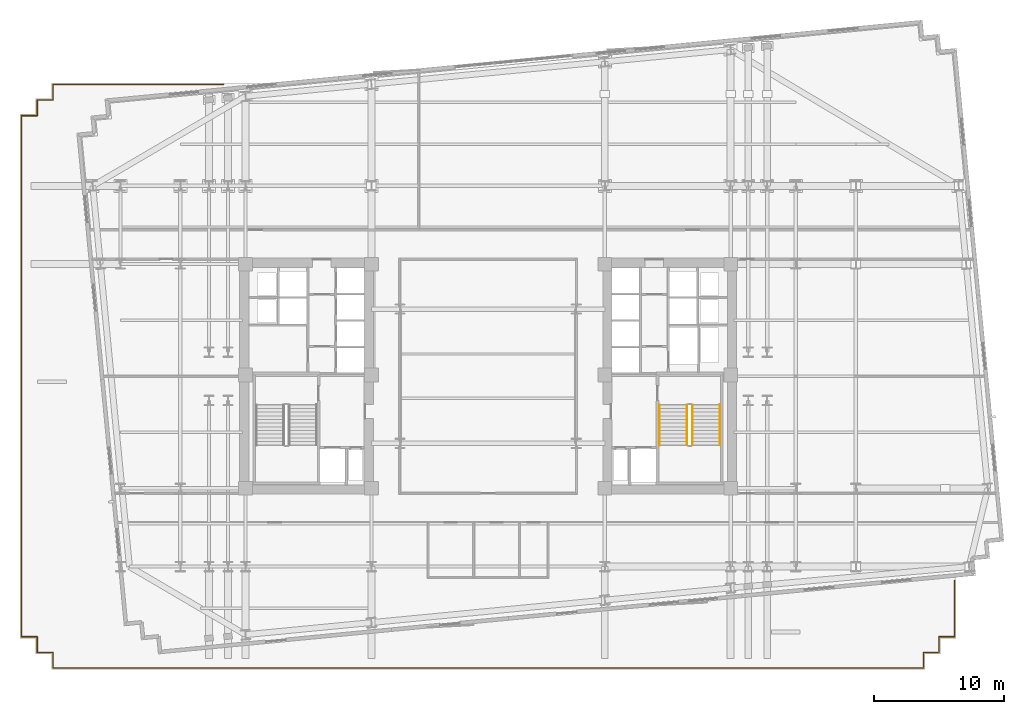
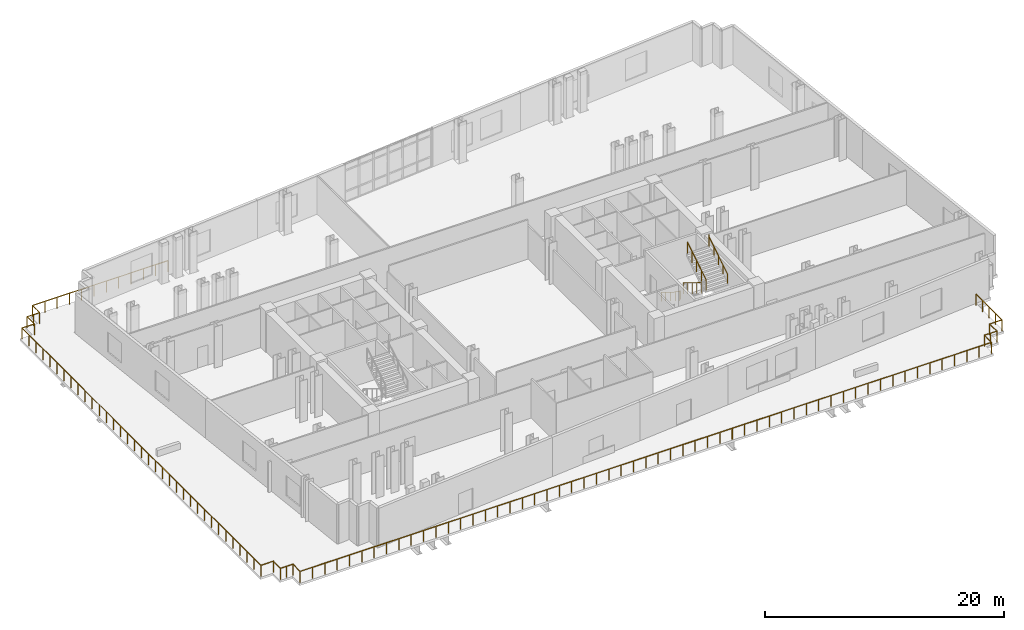
# One storey, part 12 of 14: 5 railings.
"""IFC4 building model written with IfcOpenShell, lengths in metres."""

import ifcopenshell
import ifcopenshell.guid

model = None  # the IFC model being written
_history = None  # IfcOwnerHistory: only IFC2X3 demands one
_inside = {}  # id of a spatial element -> (the spatial element, [elements in it])
_under = {}  # id of a project, library or spatial element -> (it, [spatial elements below it])
_declared = {}  # id of a project -> (the project, [libraries it declares])
_typed = {}  # id of a type object -> (the type object, [elements of that type])
_made_of = {}  # id of a material, layer set ... -> (it, [elements and type objects made of it])


def new_model(schema):
    """Start an empty IFC model of exactly this schema.

    Asked for "IFC4X3", IfcOpenShell would pick the latest addendum, in which some entities
    have other attributes; the version numbers below select the first issue.
    IFC2X3 requires an IfcOwnerHistory on every rooted entity: one is made here for all.
    """
    global model, _history
    if schema == "IFC4X3":
        model = ifcopenshell.file(schema_version=(4, 3, 0, 0))
    else:
        model = ifcopenshell.file(schema=schema)
    _inside.clear()
    _under.clear()
    _declared.clear()
    _typed.clear()
    _made_of.clear()
    _history = None
    if model.schema == "IFC2X3":
        org = make("IfcOrganization", Name="unknown")
        user = make(
            "IfcPersonAndOrganization",
            ThePerson=make("IfcPerson", FamilyName="unknown"),
            TheOrganization=org,
        )
        app = make(
            "IfcApplication",
            ApplicationDeveloper=org,
            Version="unknown",
            ApplicationFullName="unknown",
            ApplicationIdentifier="unknown",
        )
        _history = make(
            "IfcOwnerHistory",
            OwningUser=user,
            OwningApplication=app,
            ChangeAction="ADDED",
            CreationDate=0,
        )
    return model


def make(cls, **values):
    """One entity of the class cls with the attributes given. An attribute that is None is left unset."""
    return model.create_entity(
        cls, **{name: value for name, value in values.items() if value is not None}
    )


def rooted(cls, **values):
    """An entity with a GlobalId (a new one), such as an element, a storey or a relation."""
    return make(cls, GlobalId=ifcopenshell.guid.new(), OwnerHistory=_history, **values)


def si_unit(unit_type, name, prefix=None):
    """IfcSIUnit, for example si_unit("LENGTHUNIT", "METRE", prefix="MILLI")."""
    return make("IfcSIUnit", UnitType=unit_type, Prefix=prefix, Name=name)


def assignment(units):
    """IfcUnitAssignment: the units of a project."""
    return None if units is None else make("IfcUnitAssignment", Units=units)


def point(xyz):
    """IfcCartesianPoint."""
    return None if xyz is None else make("IfcCartesianPoint", Coordinates=xyz)


def direction(xyz):
    """IfcDirection."""
    return None if xyz is None else make("IfcDirection", DirectionRatios=xyz)


def frame(location, z_axis=None, x_axis=None):
    """IfcAxis2Placement3D, a coordinate frame: its origin and axes. An axis left out is left unset."""
    return make(
        "IfcAxis2Placement3D",
        Location=point(location),
        Axis=direction(z_axis),
        RefDirection=direction(x_axis),
    )


def frame_2d(location, x_axis=None):
    """IfcAxis2Placement2D, a coordinate frame in the plane: its origin and x axis."""
    return make(
        "IfcAxis2Placement2D", Location=point(location), RefDirection=direction(x_axis)
    )


def origin():
    """The frame at (0, 0, 0) with its axes left unset."""
    return frame((0.0, 0.0, 0.0))


def origin_2d():
    """The frame at (0, 0) in the plane with its x axis left unset."""
    return frame_2d((0.0, 0.0))


def place(relative_to, where):
    """IfcLocalPlacement: puts the frame where relative to a parent placement (None: the world)."""
    return make(
        "IfcLocalPlacement", PlacementRelTo=relative_to, RelativePlacement=where
    )


def context(
    kind, dimensions, precision=None, world=None, true_north=None, identifier=None
):
    """IfcGeometricRepresentationContext, for example the 3D "Model" context."""
    return make(
        "IfcGeometricRepresentationContext",
        ContextIdentifier=identifier,
        ContextType=kind,
        CoordinateSpaceDimension=dimensions,
        Precision=precision,
        WorldCoordinateSystem=world,
        TrueNorth=true_north,
    )


def subcontext(parent, identifier, kind, view, scale=None):
    """IfcGeometricRepresentationSubContext, for example "Body" below "Model"."""
    return make(
        "IfcGeometricRepresentationSubContext",
        ContextIdentifier=identifier,
        ContextType=kind,
        ParentContext=parent,
        TargetScale=scale,
        TargetView=view,
    )


def project(units=None, contexts=None):
    """IfcProject with its units and contexts."""
    return rooted(
        "IfcProject",
        Name="project",
        RepresentationContexts=contexts,
        UnitsInContext=assignment(units),
    )


def spatial(cls, under=None, at=None, **own):
    """A site, building, storey or space (cls), placed at a placement, below another one or the project."""
    s = rooted(cls, ObjectPlacement=at, **own)
    if under is not None:
        _under.setdefault(under.id(), (under, []))[1].append(s)
    return s


def profile(cls, at=None, kind="AREA", **sizes):
    """A parametric profile (cls). Its sizes go by their IFC names, for example OverallWidth=200.0."""
    return make(cls, ProfileType=kind, Position=at, **sizes)


def circle(**sizes):
    """IfcCircleProfileDef."""
    return profile("IfcCircleProfileDef", **sizes)


def extrude(swept, where, along, depth):
    """IfcExtrudedAreaSolid: the profile swept, set in the frame where, extruded along a direction by depth."""
    return make(
        "IfcExtrudedAreaSolid",
        SweptArea=swept,
        Position=where,
        ExtrudedDirection=direction(along),
        Depth=depth,
    )


def shape(context_of_items, identifier, shape_type, items):
    """IfcShapeRepresentation: the items that make up one representation, for example the "Body"."""
    return make(
        "IfcShapeRepresentation",
        ContextOfItems=context_of_items,
        RepresentationIdentifier=identifier,
        RepresentationType=shape_type,
        Items=items,
    )


def material(Name=None, Category=None):
    """IfcMaterial."""
    return make("IfcMaterial", Name=Name, Category=Category)


def made_of(thing, what):
    """Note that an element or type object is made of a material, layer set ...; save() writes the relation."""
    if what is not None:
        _made_of.setdefault(what.id(), (what, []))[1].append(thing)
    return thing


def type_object(cls, material=None, **own):
    """A type object (cls), such as IfcWallType, which elements share."""
    return made_of(rooted(cls, **own), material)


def element(
    cls,
    number,
    at=None,
    inside=None,
    cuts=None,
    type_object=None,
    material=None,
    context=None,
    identifier="Body",
    shape_type=None,
    held_by="IfcProductDefinitionShape",
    body=None,
    shapes=None,
    **own,
):
    """One element of the class cls, such as IfcWall. Its Tag is "e" and its number.

    at: its placement. inside: the storey or other place that contains it. cuts: it is an
    opening in that element (IfcRelVoidsElement). A single representation is given by context,
    identifier, shape_type and body (its items); several are given by shapes. held_by: the class
    of the entity that holds the representations. save() writes the other relations.
    """
    e = rooted(cls, Tag="e%d" % number, ObjectPlacement=at, **own)
    if body is not None:
        shapes = [shape(context, identifier, shape_type, body)]
    if shapes is not None:
        e.Representation = make(held_by, Representations=shapes)
    if inside is not None:
        _inside.setdefault(inside.id(), (inside, []))[1].append(e)
    if cuts is not None:
        rooted(
            "IfcRelVoidsElement", RelatingBuildingElement=cuts, RelatedOpeningElement=e
        )
    if type_object is not None:
        _typed.setdefault(type_object.id(), (type_object, []))[1].append(e)
    return made_of(e, material)


def aggregate(whole, parts):
    """IfcRelAggregates: a whole, such as a stair, and the parts it consists of."""
    return rooted("IfcRelAggregates", RelatingObject=whole, RelatedObjects=parts)


def save(model, path):
    """Write the relations noted so far, then the file.

    IfcRelAggregates (storeys below a building ...), IfcRelContainedInSpatialStructure (elements
    in a storey), IfcRelDefinesByType, IfcRelAssociatesMaterial and IfcRelDeclares: one each for
    every whole, place, type object, material and project.
    """
    for whole, parts in _under.values():
        aggregate(whole, parts)
    for where, things in _inside.values():
        rooted(
            "IfcRelContainedInSpatialStructure",
            RelatedElements=things,
            RelatingStructure=where,
        )
    for kind, things in _typed.values():
        rooted("IfcRelDefinesByType", RelatedObjects=things, RelatingType=kind)
    for what, things in _made_of.values():
        rooted("IfcRelAssociatesMaterial", RelatedObjects=things, RelatingMaterial=what)
    for by, libraries in _declared.values():
        rooted("IfcRelDeclares", RelatingContext=by, RelatedDefinitions=libraries)
    model.write(path)


model = new_model("IFC4")

# Units and contexts
model_context = context("Model", 3, precision=1e-05, world=origin(), true_north=direction((0.0, 1.0)))
body_context = subcontext(model_context, "Body", "Model", "MODEL_VIEW")
ifc_project = project(units=[si_unit("LENGTHUNIT", "METRE"), si_unit("AREAUNIT", "SQUARE_METRE"), si_unit("VOLUMEUNIT", "CUBIC_METRE"), si_unit("PLANEANGLEUNIT", "RADIAN"), si_unit("MASSUNIT", "GRAM", prefix="KILO")], contexts=[model_context])

# Site, building, storey
site_placement = place(None, origin())
site = spatial("IfcSite", under=ifc_project, at=site_placement, CompositionType="ELEMENT")
building_placement = place(site_placement, origin())
building = spatial("IfcBuilding", under=site, at=building_placement, Name="Velakula Bourse", CompositionType="ELEMENT")
storey_placement = place(building_placement, frame((0.0, 0.0, 70.0)))
storey = spatial("IfcBuildingStorey", under=building, at=storey_placement, Name="L18", CompositionType="ELEMENT", Elevation=70.0)

# Railings
ifc_material_1 = material(Name="Brushed grade 316 stainless steel", Category="steel")
railing_type_1 = type_object("IfcRailingType", Name="RLG-STAIR-GUARD-1150", PredefinedType="BALUSTRADE", material=ifc_material_1)
railing_1_placement = place(storey_placement, frame((15.248046875, -2.199951171875, 0.175048828125)))
element("IfcRailing", 1, at=railing_1_placement, inside=storey, type_object=railing_type_1, Name="L18 ST-E1 stair guard 1", PredefinedType="BALUSTRADE", context=body_context, shape_type="SweptSolid", body=[
    extrude(circle(Radius=0.02490234375, at=origin_2d()), frame((0.0, 0.0, 1.125), z_axis=(0.0, -0.847998304005, 0.529998940003), x_axis=(1.0, 0.0, 0.0)), (0.0, 0.0, 1.0), 3.632080078125),
    extrude(circle(Radius=0.02099609375, at=origin_2d()), origin(), (0.0, 0.0, 1.0), 1.099853515625),
    extrude(circle(Radius=0.02099609375, at=origin_2d()), frame((0.0, -0.77001953125, 0.481201171875)), (0.0, 0.0, 1.0), 1.099853515625),
    extrude(circle(Radius=0.02099609375, at=origin_2d()), frame((0.0, -1.5400390625, 0.96240234375)), (0.0, 0.0, 1.0), 1.099853515625),
    extrude(circle(Radius=0.02099609375, at=origin_2d()), frame((0.0, -2.31005859375, 1.44384765625)), (0.0, 0.0, 1.0), 1.099853515625),
    extrude(circle(Radius=0.02099609375, at=origin_2d()), frame((0.0, -3.080078125, 1.925048828125)), (0.0, 0.0, 1.0), 1.099853515625),
])
railing_2_placement = place(storey_placement, frame((15.672119140625, -5.280029296875, 2.27490234375)))
element("IfcRailing", 2, at=railing_2_placement, inside=storey, type_object=railing_type_1, Name="L18 ST-E1 stair guard 3", PredefinedType="BALUSTRADE", context=body_context, shape_type="SweptSolid", body=[
    extrude(circle(Radius=0.02490234375, at=origin_2d()), frame((0.0, 0.0, 1.125), z_axis=(0.0, 0.847998304005, 0.529998940003), x_axis=(-1.0, 0.0, 0.0)), (0.0, 0.0, 1.0), 3.632080078125),
    extrude(circle(Radius=0.02099609375, at=origin_2d()), origin(), (0.0, 0.0, 1.0), 1.099853515625),
    extrude(circle(Radius=0.02099609375, at=origin_2d()), frame((0.0, 0.77001953125, 0.481201171875)), (0.0, 0.0, 1.0), 1.099853515625),
    extrude(circle(Radius=0.02099609375, at=origin_2d()), frame((0.0, 1.5400390625, 0.96240234375)), (0.0, 0.0, 1.0), 1.099853515625),
    extrude(circle(Radius=0.02099609375, at=origin_2d()), frame((0.0, 2.31005859375, 1.44384765625)), (0.0, 0.0, 1.0), 1.099853515625),
    extrude(circle(Radius=0.02099609375, at=origin_2d()), frame((0.0, 3.080078125, 1.925048828125)), (0.0, 0.0, 1.0), 1.099853515625),
])
railing_type_2 = type_object("IfcRailingType", Name="RLG-STAIR-HAND-920", PredefinedType="HANDRAIL", material=ifc_material_1)
railing_3_placement = place(storey_placement, frame((13.14990234375, -2.199951171875, 0.175048828125)))
element("IfcRailing", 3, at=railing_3_placement, inside=storey, type_object=railing_type_2, Name="L18 ST-E1 stair handrail 1", PredefinedType="HANDRAIL", context=body_context, shape_type="SweptSolid", body=[
    extrude(circle(Radius=0.02099609375, at=origin_2d()), frame((0.0, 0.0, 0.89892578125), z_axis=(0.0, -0.847998304005, 0.529998940003), x_axis=(1.0, 0.0, 0.0)), (0.0, 0.0, 1.0), 3.632080078125),
    extrude(circle(Radius=0.02099609375, at=origin_2d()), frame((0.0, -3.080078125, 2.823974609375), z_axis=(0.0, -0.223268366363, 0.974757014123), x_axis=(1.0, 0.0, 0.0)), (0.0, 0.0, 1.0), 0.179443359375),
    extrude(circle(Radius=0.02099609375, at=origin_2d()), frame((0.0, -3.1201171875, 2.998779296875), z_axis=(0.0, -1.0, 0.0), x_axis=(1.0, 0.0, 0.0)), (0.0, 0.0, 1.0), 0.0048828125),
    extrude(circle(Radius=0.02099609375, at=origin_2d()), origin(), (0.0, 0.0, 1.0), 0.8779296875),
    extrude(circle(Radius=0.02099609375, at=origin_2d()), frame((0.0, -0.77001953125, 0.481201171875)), (0.0, 0.0, 1.0), 0.8779296875),
    extrude(circle(Radius=0.02099609375, at=origin_2d()), frame((0.0, -1.5400390625, 0.96240234375)), (0.0, 0.0, 1.0), 0.8779296875),
    extrude(circle(Radius=0.02099609375, at=origin_2d()), frame((0.0, -2.31005859375, 1.44384765625)), (0.0, 0.0, 1.0), 0.8779296875),
    extrude(circle(Radius=0.02099609375, at=origin_2d()), frame((0.0, -3.080078125, 1.925048828125)), (0.0, 0.0, 1.0), 0.8779296875),
    extrude(circle(Radius=0.02099609375, at=origin_2d()), frame((0.0, -3.1201171875, 2.099853515625)), (0.0, 0.0, 1.0), 0.8779296875),
    extrude(circle(Radius=0.02099609375, at=origin_2d()), frame((0.0, -3.125, 2.099853515625)), (0.0, 0.0, 1.0), 0.8779296875),
])
railing_4_placement = place(storey_placement, frame((17.77001953125, -5.280029296875, 2.27490234375)))
element("IfcRailing", 4, at=railing_4_placement, inside=storey, type_object=railing_type_2, Name="L18 ST-E1 stair handrail 2", PredefinedType="HANDRAIL", context=body_context, shape_type="SweptSolid", body=[
    extrude(circle(Radius=0.02099609375, at=origin_2d()), frame((0.0, 0.0, 0.89892578125), z_axis=(0.0, 0.847998304005, 0.529998940003), x_axis=(-1.0, 0.0, 0.0)), (0.0, 0.0, 1.0), 3.632080078125),
    extrude(circle(Radius=0.02099609375, at=origin_2d()), frame((0.0, 3.080078125, 2.823974609375), z_axis=(0.0, 0.222972465624, 0.974824743004), x_axis=(-1.0, 0.0, 0.0)), (0.0, 0.0, 1.0), 0.1796875),
    extrude(circle(Radius=0.02099609375, at=origin_2d()), frame((0.0, 3.1201171875, 2.9990234375), z_axis=(0.0, 1.0, 0.0), x_axis=(-1.0, 0.0, 0.0)), (0.0, 0.0, 1.0), 0.0048828125),
    extrude(circle(Radius=0.02099609375, at=origin_2d()), origin(), (0.0, 0.0, 1.0), 0.8779296875),
    extrude(circle(Radius=0.02099609375, at=origin_2d()), frame((0.0, 0.77001953125, 0.481201171875)), (0.0, 0.0, 1.0), 0.8779296875),
    extrude(circle(Radius=0.02099609375, at=origin_2d()), frame((0.0, 1.5400390625, 0.96240234375)), (0.0, 0.0, 1.0), 0.8779296875),
    extrude(circle(Radius=0.02099609375, at=origin_2d()), frame((0.0, 2.31005859375, 1.44384765625)), (0.0, 0.0, 1.0), 0.8779296875),
    extrude(circle(Radius=0.02099609375, at=origin_2d()), frame((0.0, 3.080078125, 1.925048828125)), (0.0, 0.0, 1.0), 0.8779296875),
    extrude(circle(Radius=0.02099609375, at=origin_2d()), frame((0.0, 3.1201171875, 2.10009765625)), (0.0, 0.0, 1.0), 0.8779296875),
    extrude(circle(Radius=0.02099609375, at=origin_2d()), frame((0.0, 3.125, 2.10009765625)), (0.0, 0.0, 1.0), 0.8779296875),
])
ifc_material_2 = material(Name="Anodised bronze architectural aluminium", Category="aluminium")
railing_type_3 = type_object("IfcRailingType", Name="RLG-TERR-1150", PredefinedType="BALUSTRADE", material=ifc_material_2)
railing_5_placement = place(storey_placement, frame((35.780029296875, -15.659912109375, 0.0)))
element("IfcRailing", 5, at=railing_5_placement, inside=storey, type_object=railing_type_3, Name="L18 Sky-Garden Perimeter Balustrade 1", PredefinedType="BALUSTRADE", context=body_context, shape_type="SweptSolid", body=[
    extrude(circle(Radius=0.02392578125, at=origin_2d()), frame((0.0, 0.0, 1.1259765625), z_axis=(0.0, -1.0, 0.0), x_axis=(1.0, 0.0, 0.0)), (0.0, 0.0, 1.0), 4.320068359375),
    extrude(circle(Radius=0.02392578125, at=origin_2d()), frame((0.0, -4.320068359375, 1.1259765625), z_axis=(-1.0, 0.0, 0.0), x_axis=(0.0, -1.0, 0.0)), (0.0, 0.0, 1.0), 1.199951171875),
    extrude(circle(Radius=0.02392578125, at=origin_2d()), frame((-1.199951171875, -4.320068359375, 1.1259765625), z_axis=(0.0, -1.0, 0.0), x_axis=(1.0, 0.0, 0.0)), (0.0, 0.0, 1.0), 1.199951171875),
    extrude(circle(Radius=0.02392578125, at=origin_2d()), frame((-1.199951171875, -5.52001953125, 1.1259765625), z_axis=(-1.0, 0.0, 0.0), x_axis=(0.0, -1.0, 0.0)), (0.0, 0.0, 1.0), 1.2001953125),
    extrude(circle(Radius=0.02392578125, at=origin_2d()), frame((-2.400146484375, -5.52001953125, 1.1259765625), z_axis=(0.0, -1.0, 0.0), x_axis=(1.0, 0.0, 0.0)), (0.0, 0.0, 1.0), 1.199951171875),
    extrude(circle(Radius=0.02392578125, at=origin_2d()), frame((-2.400146484375, -6.719970703125, 1.1259765625), z_axis=(-1.0, 0.0, 0.0), x_axis=(0.0, -1.0, 0.0)), (0.0, 0.0, 1.0), 66.759765625),
    extrude(circle(Radius=0.02392578125, at=origin_2d()), frame((-69.159912109375, -6.719970703125, 1.1259765625), z_axis=(0.0, 1.0, 0.0), x_axis=(-1.0, 0.0, 0.0)), (0.0, 0.0, 1.0), 1.199951171875),
    extrude(circle(Radius=0.02392578125, at=origin_2d()), frame((-69.159912109375, -5.52001953125, 1.1259765625), z_axis=(-1.0, 0.0, 0.0), x_axis=(0.0, -1.0, 0.0)), (0.0, 0.0, 1.0), 1.2001953125),
    extrude(circle(Radius=0.02392578125, at=origin_2d()), frame((-70.360107421875, -5.52001953125, 1.1259765625), z_axis=(0.0, 1.0, 0.0), x_axis=(-1.0, 0.0, 0.0)), (0.0, 0.0, 1.0), 1.199951171875),
    extrude(circle(Radius=0.02392578125, at=origin_2d()), frame((-70.360107421875, -4.320068359375, 1.1259765625), z_axis=(-1.0, 0.0, 0.0), x_axis=(0.0, -1.0, 0.0)), (0.0, 0.0, 1.0), 1.199951171875),
    extrude(circle(Radius=0.02392578125, at=origin_2d()), frame((-71.56005859375, -4.320068359375, 1.1259765625), z_axis=(0.0, 1.0, 0.0), x_axis=(-1.0, 0.0, 0.0)), (0.0, 0.0, 1.0), 39.9599609375),
    extrude(circle(Radius=0.02392578125, at=origin_2d()), frame((-71.56005859375, 35.639892578125, 1.1259765625), z_axis=(1.0, 0.0, 0.0), x_axis=(0.0, 1.0, 0.0)), (0.0, 0.0, 1.0), 1.199951171875),
    extrude(circle(Radius=0.02392578125, at=origin_2d()), frame((-70.360107421875, 35.639892578125, 1.1259765625), z_axis=(0.0, 1.0, 0.0), x_axis=(-1.0, 0.0, 0.0)), (0.0, 0.0, 1.0), 1.199951171875),
    extrude(circle(Radius=0.02392578125, at=origin_2d()), frame((-70.360107421875, 36.83984375, 1.1259765625), z_axis=(1.0, 0.0, 0.0), x_axis=(0.0, 1.0, 0.0)), (0.0, 0.0, 1.0), 1.2001953125),
    extrude(circle(Radius=0.02392578125, at=origin_2d()), frame((-69.159912109375, 36.83984375, 1.1259765625), z_axis=(0.0, 1.0, 0.0), x_axis=(-1.0, 0.0, 0.0)), (0.0, 0.0, 1.0), 1.199951171875),
    extrude(circle(Radius=0.02392578125, at=origin_2d()), frame((-69.159912109375, 38.039794921875, 1.1259765625), z_axis=(1.0, 0.0, 0.0), x_axis=(0.0, 1.0, 0.0)), (0.0, 0.0, 1.0), 13.078125),
    extrude(circle(Radius=0.02099609375, at=origin_2d()), origin(), (0.0, 0.0, 1.0), 1.101806640625),
    extrude(circle(Radius=0.02099609375, at=origin_2d()), frame((0.0, -1.080078125, 0.0)), (0.0, 0.0, 1.0), 1.101806640625),
    extrude(circle(Radius=0.02099609375, at=origin_2d()), frame((0.0, -2.16015625, 0.0)), (0.0, 0.0, 1.0), 1.101806640625),
    extrude(circle(Radius=0.02099609375, at=origin_2d()), frame((0.0, -3.239990234375, 0.0)), (0.0, 0.0, 1.0), 1.101806640625),
    extrude(circle(Radius=0.02099609375, at=origin_2d()), frame((0.0, -4.320068359375, 0.0)), (0.0, 0.0, 1.0), 1.101806640625),
    extrude(circle(Radius=0.02099609375, at=origin_2d()), frame((-1.199951171875, -4.320068359375, 0.0)), (0.0, 0.0, 1.0), 1.101806640625),
    extrude(circle(Radius=0.02099609375, at=origin_2d()), frame((-1.199951171875, -5.52001953125, 0.0)), (0.0, 0.0, 1.0), 1.101806640625),
    extrude(circle(Radius=0.02099609375, at=origin_2d()), frame((-1.800048828125, -5.52001953125, 0.0)), (0.0, 0.0, 1.0), 1.101806640625),
    extrude(circle(Radius=0.02099609375, at=origin_2d()), frame((-2.400146484375, -5.52001953125, 0.0)), (0.0, 0.0, 1.0), 1.101806640625),
    extrude(circle(Radius=0.02099609375, at=origin_2d()), frame((-2.400146484375, -6.719970703125, 0.0)), (0.0, 0.0, 1.0), 1.101806640625),
    extrude(circle(Radius=0.02099609375, at=origin_2d()), frame((-3.59228515625, -6.719970703125, 0.0)), (0.0, 0.0, 1.0), 1.101806640625),
    extrude(circle(Radius=0.02099609375, at=origin_2d()), frame((-4.784423828125, -6.719970703125, 0.0)), (0.0, 0.0, 1.0), 1.101806640625),
    extrude(circle(Radius=0.02099609375, at=origin_2d()), frame((-5.9765625, -6.719970703125, 0.0)), (0.0, 0.0, 1.0), 1.101806640625),
    extrude(circle(Radius=0.02099609375, at=origin_2d()), frame((-7.168701171875, -6.719970703125, 0.0)), (0.0, 0.0, 1.0), 1.101806640625),
    extrude(circle(Radius=0.02099609375, at=origin_2d()), frame((-8.36083984375, -6.719970703125, 0.0)), (0.0, 0.0, 1.0), 1.101806640625),
    extrude(circle(Radius=0.02099609375, at=origin_2d()), frame((-9.552978515625, -6.719970703125, 0.0)), (0.0, 0.0, 1.0), 1.101806640625),
    extrude(circle(Radius=0.02099609375, at=origin_2d()), frame((-10.7451171875, -6.719970703125, 0.0)), (0.0, 0.0, 1.0), 1.101806640625),
    extrude(circle(Radius=0.02099609375, at=origin_2d()), frame((-11.937255859375, -6.719970703125, 0.0)), (0.0, 0.0, 1.0), 1.101806640625),
    extrude(circle(Radius=0.02099609375, at=origin_2d()), frame((-13.12939453125, -6.719970703125, 0.0)), (0.0, 0.0, 1.0), 1.101806640625),
    extrude(circle(Radius=0.02099609375, at=origin_2d()), frame((-14.321533203125, -6.719970703125, 0.0)), (0.0, 0.0, 1.0), 1.101806640625),
    extrude(circle(Radius=0.02099609375, at=origin_2d()), frame((-15.513671875, -6.719970703125, 0.0)), (0.0, 0.0, 1.0), 1.101806640625),
    extrude(circle(Radius=0.02099609375, at=origin_2d()), frame((-16.705810546875, -6.719970703125, 0.0)), (0.0, 0.0, 1.0), 1.101806640625),
    extrude(circle(Radius=0.02099609375, at=origin_2d()), frame((-17.89794921875, -6.719970703125, 0.0)), (0.0, 0.0, 1.0), 1.101806640625),
    extrude(circle(Radius=0.02099609375, at=origin_2d()), frame((-19.090087890625, -6.719970703125, 0.0)), (0.0, 0.0, 1.0), 1.101806640625),
    extrude(circle(Radius=0.02099609375, at=origin_2d()), frame((-20.2822265625, -6.719970703125, 0.0)), (0.0, 0.0, 1.0), 1.101806640625),
    extrude(circle(Radius=0.02099609375, at=origin_2d()), frame((-21.474365234375, -6.719970703125, 0.0)), (0.0, 0.0, 1.0), 1.101806640625),
    extrude(circle(Radius=0.02099609375, at=origin_2d()), frame((-22.66650390625, -6.719970703125, 0.0)), (0.0, 0.0, 1.0), 1.101806640625),
    extrude(circle(Radius=0.02099609375, at=origin_2d()), frame((-23.858642578125, -6.719970703125, 0.0)), (0.0, 0.0, 1.0), 1.101806640625),
    extrude(circle(Radius=0.02099609375, at=origin_2d()), frame((-25.05078125, -6.719970703125, 0.0)), (0.0, 0.0, 1.0), 1.101806640625),
    extrude(circle(Radius=0.02099609375, at=origin_2d()), frame((-26.242919921875, -6.719970703125, 0.0)), (0.0, 0.0, 1.0), 1.101806640625),
    extrude(circle(Radius=0.02099609375, at=origin_2d()), frame((-27.43505859375, -6.719970703125, 0.0)), (0.0, 0.0, 1.0), 1.101806640625),
    extrude(circle(Radius=0.02099609375, at=origin_2d()), frame((-28.627197265625, -6.719970703125, 0.0)), (0.0, 0.0, 1.0), 1.101806640625),
    extrude(circle(Radius=0.02099609375, at=origin_2d()), frame((-29.8193359375, -6.719970703125, 0.0)), (0.0, 0.0, 1.0), 1.101806640625),
    extrude(circle(Radius=0.02099609375, at=origin_2d()), frame((-31.011474609375, -6.719970703125, 0.0)), (0.0, 0.0, 1.0), 1.101806640625),
    extrude(circle(Radius=0.02099609375, at=origin_2d()), frame((-32.20361328125, -6.719970703125, 0.0)), (0.0, 0.0, 1.0), 1.101806640625),
    extrude(circle(Radius=0.02099609375, at=origin_2d()), frame((-33.395751953125, -6.719970703125, 0.0)), (0.0, 0.0, 1.0), 1.101806640625),
    extrude(circle(Radius=0.02099609375, at=origin_2d()), frame((-34.587890625, -6.719970703125, 0.0)), (0.0, 0.0, 1.0), 1.101806640625),
    extrude(circle(Radius=0.02099609375, at=origin_2d()), frame((-35.780029296875, -6.719970703125, 0.0)), (0.0, 0.0, 1.0), 1.101806640625),
    extrude(circle(Radius=0.02099609375, at=origin_2d()), frame((-36.97216796875, -6.719970703125, 0.0)), (0.0, 0.0, 1.0), 1.101806640625),
    extrude(circle(Radius=0.02099609375, at=origin_2d()), frame((-38.164306640625, -6.719970703125, 0.0)), (0.0, 0.0, 1.0), 1.101806640625),
    extrude(circle(Radius=0.02099609375, at=origin_2d()), frame((-39.3564453125, -6.719970703125, 0.0)), (0.0, 0.0, 1.0), 1.101806640625),
    extrude(circle(Radius=0.02099609375, at=origin_2d()), frame((-40.548583984375, -6.719970703125, 0.0)), (0.0, 0.0, 1.0), 1.101806640625),
    extrude(circle(Radius=0.02099609375, at=origin_2d()), frame((-41.74072265625, -6.719970703125, 0.0)), (0.0, 0.0, 1.0), 1.101806640625),
    extrude(circle(Radius=0.02099609375, at=origin_2d()), frame((-42.932861328125, -6.719970703125, 0.0)), (0.0, 0.0, 1.0), 1.101806640625),
    extrude(circle(Radius=0.02099609375, at=origin_2d()), frame((-44.125, -6.719970703125, 0.0)), (0.0, 0.0, 1.0), 1.101806640625),
    extrude(circle(Radius=0.02099609375, at=origin_2d()), frame((-45.317138671875, -6.719970703125, 0.0)), (0.0, 0.0, 1.0), 1.101806640625),
    extrude(circle(Radius=0.02099609375, at=origin_2d()), frame((-46.50927734375, -6.719970703125, 0.0)), (0.0, 0.0, 1.0), 1.101806640625),
    extrude(circle(Radius=0.02099609375, at=origin_2d()), frame((-47.701416015625, -6.719970703125, 0.0)), (0.0, 0.0, 1.0), 1.101806640625),
    extrude(circle(Radius=0.02099609375, at=origin_2d()), frame((-48.8935546875, -6.719970703125, 0.0)), (0.0, 0.0, 1.0), 1.101806640625),
    extrude(circle(Radius=0.02099609375, at=origin_2d()), frame((-50.085693359375, -6.719970703125, 0.0)), (0.0, 0.0, 1.0), 1.101806640625),
    extrude(circle(Radius=0.02099609375, at=origin_2d()), frame((-51.27783203125, -6.719970703125, 0.0)), (0.0, 0.0, 1.0), 1.101806640625),
    extrude(circle(Radius=0.02099609375, at=origin_2d()), frame((-52.469970703125, -6.719970703125, 0.0)), (0.0, 0.0, 1.0), 1.101806640625),
    extrude(circle(Radius=0.02099609375, at=origin_2d()), frame((-53.662109375, -6.719970703125, 0.0)), (0.0, 0.0, 1.0), 1.101806640625),
    extrude(circle(Radius=0.02099609375, at=origin_2d()), frame((-54.854248046875, -6.719970703125, 0.0)), (0.0, 0.0, 1.0), 1.101806640625),
    extrude(circle(Radius=0.02099609375, at=origin_2d()), frame((-56.04638671875, -6.719970703125, 0.0)), (0.0, 0.0, 1.0), 1.101806640625),
    extrude(circle(Radius=0.02099609375, at=origin_2d()), frame((-57.238525390625, -6.719970703125, 0.0)), (0.0, 0.0, 1.0), 1.101806640625),
    extrude(circle(Radius=0.02099609375, at=origin_2d()), frame((-58.4306640625, -6.719970703125, 0.0)), (0.0, 0.0, 1.0), 1.101806640625),
    extrude(circle(Radius=0.02099609375, at=origin_2d()), frame((-59.622802734375, -6.719970703125, 0.0)), (0.0, 0.0, 1.0), 1.101806640625),
    extrude(circle(Radius=0.02099609375, at=origin_2d()), frame((-60.81494140625, -6.719970703125, 0.0)), (0.0, 0.0, 1.0), 1.101806640625),
    extrude(circle(Radius=0.02099609375, at=origin_2d()), frame((-62.007080078125, -6.719970703125, 0.0)), (0.0, 0.0, 1.0), 1.101806640625),
    extrude(circle(Radius=0.02099609375, at=origin_2d()), frame((-63.19921875, -6.719970703125, 0.0)), (0.0, 0.0, 1.0), 1.101806640625),
    extrude(circle(Radius=0.02099609375, at=origin_2d()), frame((-64.391357421875, -6.719970703125, 0.0)), (0.0, 0.0, 1.0), 1.101806640625),
    extrude(circle(Radius=0.02099609375, at=origin_2d()), frame((-65.58349609375, -6.719970703125, 0.0)), (0.0, 0.0, 1.0), 1.101806640625),
    extrude(circle(Radius=0.02099609375, at=origin_2d()), frame((-66.775634765625, -6.719970703125, 0.0)), (0.0, 0.0, 1.0), 1.101806640625),
    extrude(circle(Radius=0.02099609375, at=origin_2d()), frame((-67.9677734375, -6.719970703125, 0.0)), (0.0, 0.0, 1.0), 1.101806640625),
    extrude(circle(Radius=0.02099609375, at=origin_2d()), frame((-69.159912109375, -6.719970703125, 0.0)), (0.0, 0.0, 1.0), 1.101806640625),
    extrude(circle(Radius=0.02099609375, at=origin_2d()), frame((-69.159912109375, -5.52001953125, 0.0)), (0.0, 0.0, 1.0), 1.101806640625),
    extrude(circle(Radius=0.02099609375, at=origin_2d()), frame((-69.760009765625, -5.52001953125, 0.0)), (0.0, 0.0, 1.0), 1.101806640625),
    extrude(circle(Radius=0.02099609375, at=origin_2d()), frame((-70.360107421875, -5.52001953125, 0.0)), (0.0, 0.0, 1.0), 1.101806640625),
    extrude(circle(Radius=0.02099609375, at=origin_2d()), frame((-70.360107421875, -4.320068359375, 0.0)), (0.0, 0.0, 1.0), 1.101806640625),
    extrude(circle(Radius=0.02099609375, at=origin_2d()), frame((-71.56005859375, -4.320068359375, 0.0)), (0.0, 0.0, 1.0), 1.101806640625),
    extrude(circle(Radius=0.02099609375, at=origin_2d()), frame((-71.56005859375, -3.144775390625, 0.0)), (0.0, 0.0, 1.0), 1.101806640625),
    extrude(circle(Radius=0.02099609375, at=origin_2d()), frame((-71.56005859375, -1.969482421875, 0.0)), (0.0, 0.0, 1.0), 1.101806640625),
    extrude(circle(Radius=0.02099609375, at=origin_2d()), frame((-71.56005859375, -0.794189453125, 0.0)), (0.0, 0.0, 1.0), 1.101806640625),
    extrude(circle(Radius=0.02099609375, at=origin_2d()), frame((-71.56005859375, 0.381103515625, 0.0)), (0.0, 0.0, 1.0), 1.101806640625),
    extrude(circle(Radius=0.02099609375, at=origin_2d()), frame((-71.56005859375, 1.556396484375, 0.0)), (0.0, 0.0, 1.0), 1.101806640625),
    extrude(circle(Radius=0.02099609375, at=origin_2d()), frame((-71.56005859375, 2.731689453125, 0.0)), (0.0, 0.0, 1.0), 1.101806640625),
    extrude(circle(Radius=0.02099609375, at=origin_2d()), frame((-71.56005859375, 3.906982421875, 0.0)), (0.0, 0.0, 1.0), 1.101806640625),
    extrude(circle(Radius=0.02099609375, at=origin_2d()), frame((-71.56005859375, 5.082275390625, 0.0)), (0.0, 0.0, 1.0), 1.101806640625),
    extrude(circle(Radius=0.02099609375, at=origin_2d()), frame((-71.56005859375, 6.257568359375, 0.0)), (0.0, 0.0, 1.0), 1.101806640625),
    extrude(circle(Radius=0.02099609375, at=origin_2d()), frame((-71.56005859375, 7.432861328125, 0.0)), (0.0, 0.0, 1.0), 1.101806640625),
    extrude(circle(Radius=0.02099609375, at=origin_2d()), frame((-71.56005859375, 8.608154296875, 0.0)), (0.0, 0.0, 1.0), 1.101806640625),
    extrude(circle(Radius=0.02099609375, at=origin_2d()), frame((-71.56005859375, 9.783447265625, 0.0)), (0.0, 0.0, 1.0), 1.101806640625),
    extrude(circle(Radius=0.02099609375, at=origin_2d()), frame((-71.56005859375, 10.958740234375, 0.0)), (0.0, 0.0, 1.0), 1.101806640625),
    extrude(circle(Radius=0.02099609375, at=origin_2d()), frame((-71.56005859375, 12.134033203125, 0.0)), (0.0, 0.0, 1.0), 1.101806640625),
    extrude(circle(Radius=0.02099609375, at=origin_2d()), frame((-71.56005859375, 13.309326171875, 0.0)), (0.0, 0.0, 1.0), 1.101806640625),
    extrude(circle(Radius=0.02099609375, at=origin_2d()), frame((-71.56005859375, 14.484619140625, 0.0)), (0.0, 0.0, 1.0), 1.101806640625),
    extrude(circle(Radius=0.02099609375, at=origin_2d()), frame((-71.56005859375, 15.659912109375, 0.0)), (0.0, 0.0, 1.0), 1.101806640625),
    extrude(circle(Radius=0.02099609375, at=origin_2d()), frame((-71.56005859375, 16.835205078125, 0.0)), (0.0, 0.0, 1.0), 1.101806640625),
    extrude(circle(Radius=0.02099609375, at=origin_2d()), frame((-71.56005859375, 18.010498046875, 0.0)), (0.0, 0.0, 1.0), 1.101806640625),
    extrude(circle(Radius=0.02099609375, at=origin_2d()), frame((-71.56005859375, 19.185791015625, 0.0)), (0.0, 0.0, 1.0), 1.101806640625),
    extrude(circle(Radius=0.02099609375, at=origin_2d()), frame((-71.56005859375, 20.361083984375, 0.0)), (0.0, 0.0, 1.0), 1.101806640625),
    extrude(circle(Radius=0.02099609375, at=origin_2d()), frame((-71.56005859375, 21.536376953125, 0.0)), (0.0, 0.0, 1.0), 1.101806640625),
    extrude(circle(Radius=0.02099609375, at=origin_2d()), frame((-71.56005859375, 22.711669921875, 0.0)), (0.0, 0.0, 1.0), 1.101806640625),
    extrude(circle(Radius=0.02099609375, at=origin_2d()), frame((-71.56005859375, 23.886962890625, 0.0)), (0.0, 0.0, 1.0), 1.101806640625),
    extrude(circle(Radius=0.02099609375, at=origin_2d()), frame((-71.56005859375, 25.062255859375, 0.0)), (0.0, 0.0, 1.0), 1.101806640625),
    extrude(circle(Radius=0.02099609375, at=origin_2d()), frame((-71.56005859375, 26.237548828125, 0.0)), (0.0, 0.0, 1.0), 1.101806640625),
    extrude(circle(Radius=0.02099609375, at=origin_2d()), frame((-71.56005859375, 27.412841796875, 0.0)), (0.0, 0.0, 1.0), 1.101806640625),
    extrude(circle(Radius=0.02099609375, at=origin_2d()), frame((-71.56005859375, 28.588134765625, 0.0)), (0.0, 0.0, 1.0), 1.101806640625),
    extrude(circle(Radius=0.02099609375, at=origin_2d()), frame((-71.56005859375, 29.763427734375, 0.0)), (0.0, 0.0, 1.0), 1.101806640625),
    extrude(circle(Radius=0.02099609375, at=origin_2d()), frame((-71.56005859375, 30.938720703125, 0.0)), (0.0, 0.0, 1.0), 1.101806640625),
    extrude(circle(Radius=0.02099609375, at=origin_2d()), frame((-71.56005859375, 32.114013671875, 0.0)), (0.0, 0.0, 1.0), 1.101806640625),
    extrude(circle(Radius=0.02099609375, at=origin_2d()), frame((-71.56005859375, 33.289306640625, 0.0)), (0.0, 0.0, 1.0), 1.101806640625),
    extrude(circle(Radius=0.02099609375, at=origin_2d()), frame((-71.56005859375, 34.464599609375, 0.0)), (0.0, 0.0, 1.0), 1.101806640625),
    extrude(circle(Radius=0.02099609375, at=origin_2d()), frame((-71.56005859375, 35.639892578125, 0.0)), (0.0, 0.0, 1.0), 1.101806640625),
    extrude(circle(Radius=0.02099609375, at=origin_2d()), frame((-70.360107421875, 35.639892578125, 0.0)), (0.0, 0.0, 1.0), 1.101806640625),
    extrude(circle(Radius=0.02099609375, at=origin_2d()), frame((-70.360107421875, 36.83984375, 0.0)), (0.0, 0.0, 1.0), 1.101806640625),
    extrude(circle(Radius=0.02099609375, at=origin_2d()), frame((-69.760009765625, 36.83984375, 0.0)), (0.0, 0.0, 1.0), 1.101806640625),
    extrude(circle(Radius=0.02099609375, at=origin_2d()), frame((-69.159912109375, 36.83984375, 0.0)), (0.0, 0.0, 1.0), 1.101806640625),
    extrude(circle(Radius=0.02099609375, at=origin_2d()), frame((-69.159912109375, 38.039794921875, 0.0)), (0.0, 0.0, 1.0), 1.101806640625),
    extrude(circle(Radius=0.02099609375, at=origin_2d()), frame((-67.970947265625, 38.039794921875, 0.0)), (0.0, 0.0, 1.0), 1.101806640625),
    extrude(circle(Radius=0.02099609375, at=origin_2d()), frame((-66.781982421875, 38.039794921875, 0.0)), (0.0, 0.0, 1.0), 1.101806640625),
    extrude(circle(Radius=0.02099609375, at=origin_2d()), frame((-65.59326171875, 38.039794921875, 0.0)), (0.0, 0.0, 1.0), 1.101806640625),
    extrude(circle(Radius=0.02099609375, at=origin_2d()), frame((-64.404296875, 38.039794921875, 0.0)), (0.0, 0.0, 1.0), 1.101806640625),
    extrude(circle(Radius=0.02099609375, at=origin_2d()), frame((-63.21533203125, 38.039794921875, 0.0)), (0.0, 0.0, 1.0), 1.101806640625),
    extrude(circle(Radius=0.02099609375, at=origin_2d()), frame((-62.0263671875, 38.039794921875, 0.0)), (0.0, 0.0, 1.0), 1.101806640625),
    extrude(circle(Radius=0.02099609375, at=origin_2d()), frame((-60.83740234375, 38.039794921875, 0.0)), (0.0, 0.0, 1.0), 1.101806640625),
    extrude(circle(Radius=0.02099609375, at=origin_2d()), frame((-59.6484375, 38.039794921875, 0.0)), (0.0, 0.0, 1.0), 1.101806640625),
    extrude(circle(Radius=0.02099609375, at=origin_2d()), frame((-58.459716796875, 38.039794921875, 0.0)), (0.0, 0.0, 1.0), 1.101806640625),
    extrude(circle(Radius=0.02099609375, at=origin_2d()), frame((-57.270751953125, 38.039794921875, 0.0)), (0.0, 0.0, 1.0), 1.101806640625),
    extrude(circle(Radius=0.02099609375, at=origin_2d()), frame((-56.081787109375, 38.039794921875, 0.0)), (0.0, 0.0, 1.0), 1.101806640625),
])

save(model, "model.ifc")
